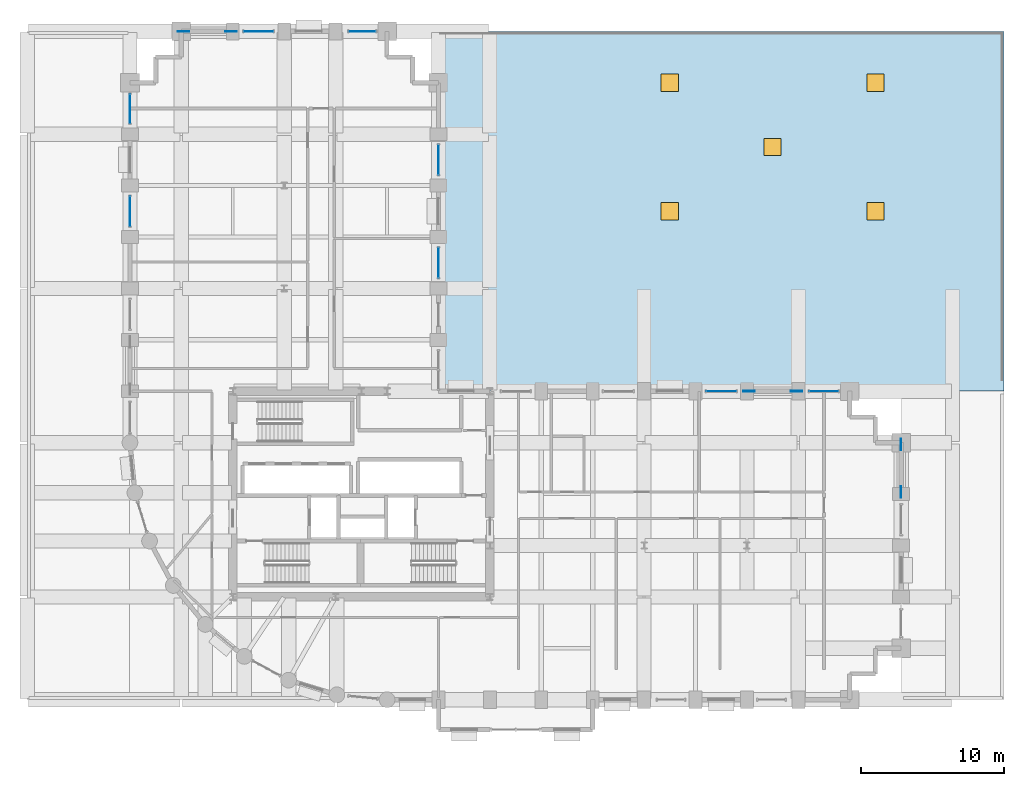
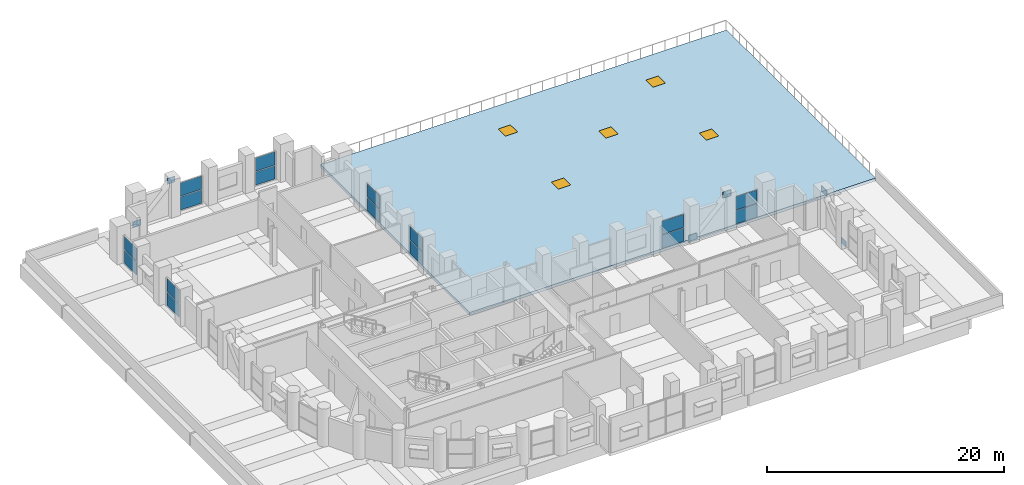
# One storey, part 33 of 39: 22 plates, 5 windows, 1 slab, 5 openings, 8 elements without a shape of their own.
"""IFC4 building model written with IfcOpenShell, lengths in metres."""

from ifc_helpers import new_model, si_unit, direction, frame, origin, origin_2d, place, context, subcontext, project, spatial, polyline, rectangle, outline, extrude, material, layer, layer_set, type_object, element, fill, aggregate, save


model = new_model("IFC4")

# Units and contexts
model_context = context("Model", 3, precision=1e-05, world=origin(), true_north=direction((0.0, 1.0)))
body_context = subcontext(model_context, "Body", "Model", "MODEL_VIEW")
ifc_project = project(units=[si_unit("LENGTHUNIT", "METRE"), si_unit("AREAUNIT", "SQUARE_METRE"), si_unit("VOLUMEUNIT", "CUBIC_METRE"), si_unit("PLANEANGLEUNIT", "RADIAN"), si_unit("MASSUNIT", "GRAM", prefix="KILO")], contexts=[model_context])

# Site, building, storey
site_placement = place(None, origin())
site = spatial("IfcSite", under=ifc_project, at=site_placement, CompositionType="ELEMENT")
building_placement = place(site_placement, origin())
building = spatial("IfcBuilding", under=site, at=building_placement, Name="Solnavia Interchange Tower", CompositionType="ELEMENT")
storey_placement = place(building_placement, frame((0.0, 0.0, 24.0)))
storey = spatial("IfcBuildingStorey", under=building, at=storey_placement, Name="L05", CompositionType="ELEMENT", Elevation=24.0)

# Curtain wall, plates
ifc_material_1 = material(Name="Aluminium Alloy 6063-T6", Category="aluminium")
ifc_layer_1 = layer(ifc_material_1, 0.219970703125)
ifc_layer_set_1 = layer_set([ifc_layer_1], Name="Aluminium Alloy 6063-T6")
curtain_wall_type = type_object("IfcCurtainWallType", Name="CurtainWall-Tower-CTW3", PredefinedType="NOTDEFINED", material=ifc_layer_set_1)
curtain_wall_1_placement = place(storey_placement, origin())
curtain_wall_1 = element("IfcCurtainWall", 1, at=curtain_wall_1_placement, inside=storey, type_object=curtain_wall_type, Name="CTW-L05-S24 CTW-3 curtain wall", PredefinedType="NOTDEFINED")
ifc_material_2 = material(Name="Double-Glazed Low-E IGU Glass", Category="glass")
ifc_layer_2 = layer(ifc_material_2, 0.02587890625)
ifc_layer_set_2 = layer_set([ifc_layer_2], Name="Double-Glazed Low-E IGU Glass")
plate_type_1 = type_object("IfcPlateType", Name="CW-Panel-LowE-26", PredefinedType="CURTAIN_PANEL", material=ifc_layer_set_2)
plate_1_placement = place(storey_placement, frame((55.77490234375, 25.199951171875, 0.06494140625), z_axis=(0.0, 0.0, 1.0), x_axis=(-1.0, 0.0, 0.0)))
plate_1 = element("IfcPlate", 2, at=plate_1_placement, type_object=plate_type_1, Name="CTW-3 panel 1.1", PredefinedType="CURTAIN_PANEL", context=body_context, shape_type="SweptSolid", body=[
    extrude(rectangle(XDim=2.0400390625, YDim=0.02587890625, at=origin_2d()), origin(), (0.0, 0.0, 1.0), 1.367431640625),
])
plate_2_placement = place(storey_placement, frame((55.77490234375, 25.199951171875, 1.49755859375), z_axis=(0.0, 0.0, 1.0), x_axis=(-1.0, 0.0, 0.0)))
plate_2 = element("IfcPlate", 3, at=plate_2_placement, type_object=plate_type_1, Name="CTW-3 panel 1.2", PredefinedType="CURTAIN_PANEL", context=body_context, shape_type="SweptSolid", body=[
    extrude(rectangle(XDim=2.0400390625, YDim=0.02587890625, at=origin_2d()), origin(), (0.0, 0.0, 1.0), 1.367431640625),
])
aggregate(curtain_wall_1, [plate_1, plate_2])

curtain_wall_2_placement = place(storey_placement, origin())
curtain_wall_2 = element("IfcCurtainWall", 4, at=curtain_wall_2_placement, inside=storey, type_object=curtain_wall_type, Name="CTW-L05-S26 CTW-3 curtain wall", PredefinedType="NOTDEFINED")
plate_3_placement = place(storey_placement, frame((48.60009765625, 25.199951171875, 0.06494140625), z_axis=(0.0, 0.0, 1.0), x_axis=(-1.0, 0.0, 0.0)))
plate_3 = element("IfcPlate", 5, at=plate_3_placement, type_object=plate_type_1, Name="CTW-3 panel 1.1", PredefinedType="CURTAIN_PANEL", context=body_context, shape_type="SweptSolid", body=[
    extrude(rectangle(XDim=2.090087890625, YDim=0.02587890625, at=origin_2d()), origin(), (0.0, 0.0, 1.0), 1.367431640625),
])
plate_4_placement = place(storey_placement, frame((48.60009765625, 25.199951171875, 1.49755859375), z_axis=(0.0, 0.0, 1.0), x_axis=(-1.0, 0.0, 0.0)))
plate_4 = element("IfcPlate", 6, at=plate_4_placement, type_object=plate_type_1, Name="CTW-3 panel 1.2", PredefinedType="CURTAIN_PANEL", context=body_context, shape_type="SweptSolid", body=[
    extrude(rectangle(XDim=2.090087890625, YDim=0.02587890625, at=origin_2d()), origin(), (0.0, 0.0, 1.0), 1.367431640625),
])
aggregate(curtain_wall_2, [plate_3, plate_4])

curtain_wall_3_placement = place(storey_placement, origin())
curtain_wall_3 = element("IfcCurtainWall", 7, at=curtain_wall_3_placement, inside=storey, type_object=curtain_wall_type, Name="CTW-L05-S34 CTW-3 curtain wall", PredefinedType="NOTDEFINED")
plate_5_placement = place(storey_placement, frame((28.800048828125, 34.199951171875, 0.06494140625), z_axis=(0.0, 0.0, 1.0), x_axis=(0.0, 1.0, 0.0)))
plate_5 = element("IfcPlate", 8, at=plate_5_placement, type_object=plate_type_1, Name="CTW-3 panel 1.1", PredefinedType="CURTAIN_PANEL", context=body_context, shape_type="SweptSolid", body=[
    extrude(rectangle(XDim=2.090087890625, YDim=0.02587890625, at=origin_2d()), origin(), (0.0, 0.0, 1.0), 1.367431640625),
])
plate_6_placement = place(storey_placement, frame((28.800048828125, 34.199951171875, 1.49755859375), z_axis=(0.0, 0.0, 1.0), x_axis=(0.0, 1.0, 0.0)))
plate_6 = element("IfcPlate", 9, at=plate_6_placement, type_object=plate_type_1, Name="CTW-3 panel 1.2", PredefinedType="CURTAIN_PANEL", context=body_context, shape_type="SweptSolid", body=[
    extrude(rectangle(XDim=2.090087890625, YDim=0.02587890625, at=origin_2d()), origin(), (0.0, 0.0, 1.0), 1.367431640625),
])
aggregate(curtain_wall_3, [plate_5, plate_6])

curtain_wall_4_placement = place(storey_placement, origin())
curtain_wall_4 = element("IfcCurtainWall", 10, at=curtain_wall_4_placement, inside=storey, type_object=curtain_wall_type, Name="CTW-L05-S36 CTW-3 curtain wall", PredefinedType="NOTDEFINED")
plate_7_placement = place(storey_placement, frame((28.800048828125, 41.39990234375, 0.06494140625), z_axis=(0.0, 0.0, 1.0), x_axis=(0.0, 1.0, 0.0)))
plate_7 = element("IfcPlate", 11, at=plate_7_placement, type_object=plate_type_1, Name="CTW-3 panel 1.1", PredefinedType="CURTAIN_PANEL", context=body_context, shape_type="SweptSolid", body=[
    extrude(rectangle(XDim=2.090087890625, YDim=0.02587890625, at=origin_2d()), origin(), (0.0, 0.0, 1.0), 1.367431640625),
])
plate_8_placement = place(storey_placement, frame((28.800048828125, 41.39990234375, 1.49755859375), z_axis=(0.0, 0.0, 1.0), x_axis=(0.0, 1.0, 0.0)))
plate_8 = element("IfcPlate", 12, at=plate_8_placement, type_object=plate_type_1, Name="CTW-3 panel 1.2", PredefinedType="CURTAIN_PANEL", context=body_context, shape_type="SweptSolid", body=[
    extrude(rectangle(XDim=2.090087890625, YDim=0.02587890625, at=origin_2d()), origin(), (0.0, 0.0, 1.0), 1.367431640625),
])
aggregate(curtain_wall_4, [plate_7, plate_8])

curtain_wall_5_placement = place(storey_placement, origin())
curtain_wall_5 = element("IfcCurtainWall", 13, at=curtain_wall_5_placement, inside=storey, type_object=curtain_wall_type, Name="CTW-L05-S42 CTW-3 curtain wall", PredefinedType="NOTDEFINED")
plate_9_placement = place(storey_placement, frame((23.449951171875, 50.39990234375, 0.06494140625), z_axis=(0.0, 0.0, 1.0), x_axis=(-1.0, 0.0, 0.0)))
plate_9 = element("IfcPlate", 14, at=plate_9_placement, type_object=plate_type_1, Name="CTW-3 panel 1.1", PredefinedType="CURTAIN_PANEL", context=body_context, shape_type="SweptSolid", body=[
    extrude(rectangle(XDim=1.889892578125, YDim=0.02587890625, at=origin_2d()), origin(), (0.0, 0.0, 1.0), 1.367431640625),
])
plate_10_placement = place(storey_placement, frame((23.449951171875, 50.39990234375, 1.49755859375), z_axis=(0.0, 0.0, 1.0), x_axis=(-1.0, 0.0, 0.0)))
plate_10 = element("IfcPlate", 15, at=plate_10_placement, type_object=plate_type_1, Name="CTW-3 panel 1.2", PredefinedType="CURTAIN_PANEL", context=body_context, shape_type="SweptSolid", body=[
    extrude(rectangle(XDim=1.889892578125, YDim=0.02587890625, at=origin_2d()), origin(), (0.0, 0.0, 1.0), 1.367431640625),
])
aggregate(curtain_wall_5, [plate_9, plate_10])

curtain_wall_6_placement = place(storey_placement, origin())
curtain_wall_6 = element("IfcCurtainWall", 16, at=curtain_wall_6_placement, inside=storey, type_object=curtain_wall_type, Name="CTW-L05-S44 CTW-3 curtain wall", PredefinedType="NOTDEFINED")
plate_11_placement = place(storey_placement, frame((16.199951171875, 50.39990234375, 0.06494140625), z_axis=(0.0, 0.0, 1.0), x_axis=(-1.0, 0.0, 0.0)))
plate_11 = element("IfcPlate", 17, at=plate_11_placement, type_object=plate_type_1, Name="CTW-3 panel 1.1", PredefinedType="CURTAIN_PANEL", context=body_context, shape_type="SweptSolid", body=[
    extrude(rectangle(XDim=2.090087890625, YDim=0.02587890625, at=origin_2d()), origin(), (0.0, 0.0, 1.0), 1.367431640625),
])
plate_12_placement = place(storey_placement, frame((16.199951171875, 50.39990234375, 1.49755859375), z_axis=(0.0, 0.0, 1.0), x_axis=(-1.0, 0.0, 0.0)))
plate_12 = element("IfcPlate", 18, at=plate_12_placement, type_object=plate_type_1, Name="CTW-3 panel 1.2", PredefinedType="CURTAIN_PANEL", context=body_context, shape_type="SweptSolid", body=[
    extrude(rectangle(XDim=2.090087890625, YDim=0.02587890625, at=origin_2d()), origin(), (0.0, 0.0, 1.0), 1.367431640625),
])
aggregate(curtain_wall_6, [plate_11, plate_12])

curtain_wall_7_placement = place(storey_placement, origin())
curtain_wall_7 = element("IfcCurtainWall", 19, at=curtain_wall_7_placement, inside=storey, type_object=curtain_wall_type, Name="CTW-L05-S50 CTW-3 curtain wall", PredefinedType="NOTDEFINED")
plate_13_placement = place(storey_placement, frame((7.199951171875, 44.97509765625, 0.06494140625), z_axis=(0.0, 0.0, 1.0), x_axis=(0.0, -1.0, 0.0)))
plate_13 = element("IfcPlate", 20, at=plate_13_placement, type_object=plate_type_1, Name="CTW-3 panel 1.1", PredefinedType="CURTAIN_PANEL", context=body_context, shape_type="SweptSolid", body=[
    extrude(rectangle(XDim=2.0400390625, YDim=0.02587890625, at=origin_2d()), origin(), (0.0, 0.0, 1.0), 1.367431640625),
])
plate_14_placement = place(storey_placement, frame((7.199951171875, 44.97509765625, 1.49755859375), z_axis=(0.0, 0.0, 1.0), x_axis=(0.0, -1.0, 0.0)))
plate_14 = element("IfcPlate", 21, at=plate_14_placement, type_object=plate_type_1, Name="CTW-3 panel 1.2", PredefinedType="CURTAIN_PANEL", context=body_context, shape_type="SweptSolid", body=[
    extrude(rectangle(XDim=2.0400390625, YDim=0.02587890625, at=origin_2d()), origin(), (0.0, 0.0, 1.0), 1.367431640625),
])
aggregate(curtain_wall_7, [plate_13, plate_14])

curtain_wall_8_placement = place(storey_placement, origin())
curtain_wall_8 = element("IfcCurtainWall", 22, at=curtain_wall_8_placement, inside=storey, type_object=curtain_wall_type, Name="CTW-L05-S52 CTW-3 curtain wall", PredefinedType="NOTDEFINED")
plate_15_placement = place(storey_placement, frame((7.199951171875, 37.800048828125, 0.06494140625), z_axis=(0.0, 0.0, 1.0), x_axis=(0.0, -1.0, 0.0)))
plate_15 = element("IfcPlate", 23, at=plate_15_placement, type_object=plate_type_1, Name="CTW-3 panel 1.1", PredefinedType="CURTAIN_PANEL", context=body_context, shape_type="SweptSolid", body=[
    extrude(rectangle(XDim=2.090087890625, YDim=0.02587890625, at=origin_2d()), origin(), (0.0, 0.0, 1.0), 1.367431640625),
])
plate_16_placement = place(storey_placement, frame((7.199951171875, 37.800048828125, 1.49755859375), z_axis=(0.0, 0.0, 1.0), x_axis=(0.0, -1.0, 0.0)))
plate_16 = element("IfcPlate", 24, at=plate_16_placement, type_object=plate_type_1, Name="CTW-3 panel 1.2", PredefinedType="CURTAIN_PANEL", context=body_context, shape_type="SweptSolid", body=[
    extrude(rectangle(XDim=2.090087890625, YDim=0.02587890625, at=origin_2d()), origin(), (0.0, 0.0, 1.0), 1.367431640625),
])
aggregate(curtain_wall_8, [plate_15, plate_16])

# Plates
ifc_material_3 = material(Name="Steel S460", Category="steel")
ifc_layer_3 = layer(ifc_material_3, 0.035888671875)
ifc_layer_set_3 = layer_set([ifc_layer_3], Name="Steel S460")
plate_type_2 = type_object("IfcPlateType", Name="Plate-Gusset-800x600x36", PredefinedType="USERDEFINED", material=ifc_layer_set_3)
for number, where, z_axis, x_axis, name in (
    (25, (61.199951171875, 18.139892578125, -0.1201171875), (0.0, 0.0, 1.0), (0.0, 1.0, 0.0), "PLT-L05-GP03 Perimeter brace gusset plate"),
    (26, (61.199951171875, 21.4599609375, 3.169921875), (0.0, 0.0, 1.0), (0.0, 1.0, 0.0), "PLT-L05-GP04 Perimeter brace gusset plate"),
    (27, (10.93994140625, 50.39990234375, -0.1201171875), (0.0, 0.0, 1.0), (1.0, 0.0, 0.0), "PLT-L05-GP05 Perimeter brace gusset plate"),
    (28, (14.260009765625, 50.39990234375, 3.169921875), (0.0, 0.0, 1.0), (1.0, 0.0, 0.0), "PLT-L05-GP06 Perimeter brace gusset plate"),
    (29, (50.5400390625, 25.199951171875, -0.1201171875), (0.0, 0.0, 1.0), (1.0, 0.0, 0.0), "PLT-L05-GP07 Perimeter brace gusset plate"),
    (30, (53.860107421875, 25.199951171875, 3.169921875), (0.0, 0.0, 1.0), (1.0, 0.0, 0.0), "PLT-L05-GP08 Perimeter brace gusset plate"),
):
    element("IfcPlate", number, at=place(storey_placement, frame(where, z_axis=z_axis, x_axis=x_axis)), inside=storey, type_object=plate_type_2, Name=name, ObjectType="GUSSET PLATE", PredefinedType="USERDEFINED", context=body_context, shape_type="SweptSolid", body=[
        extrude(rectangle(XDim=0.800048828125, YDim=0.035888671875, at=origin_2d()), origin(), (0.0, 0.0, 1.0), 0.60009765625),
    ])

# Slab, openings, windows
ifc_material_4 = material(Name="Concrete C40/50", Category="concrete")
ifc_layer_4 = layer(ifc_material_4, 0.300048828125)
ifc_layer_set_4 = layer_set([ifc_layer_4], Name="Concrete C40/50")
slab_type = type_object("IfcSlabType", Name="Slab-Roof-300", PredefinedType="ROOF", material=ifc_layer_set_4)
slab_placement = place(storey_placement, frame((0.0, 0.0, -0.300048828125)))
slab = element("IfcSlab", 31, at=slab_placement, inside=storey, type_object=slab_type, Name="ROF-L05-01 Podium main roof deck slab", PredefinedType="ROOF", context=body_context, shape_type="SweptSolid", body=[
    extrude(outline(polyline([(68.39990234375, 25.219970703125), (57.6201171875, 25.219970703125), (28.820068359375, 25.219970703125), (28.820068359375, 46.820068359375), (28.820068359375, 50.39990234375), (68.39990234375, 50.39990234375), (68.39990234375, 25.219970703125)])), origin(), (0.0, 0.0, 1.0), 0.300048828125),
])
opening_1_placement = place(slab_placement, frame((59.39990234375, 37.800048828125, 0.0)))
opening_1 = element("IfcOpeningElement", 32, at=opening_1_placement, cuts=slab, Name="Opening SKL-01", PredefinedType="OPENING", context=body_context, shape_type="SweptSolid", body=[
    extrude(rectangle(XDim=1.199951171875, YDim=1.199951171875, at=origin_2d()), origin(), (0.0, 0.0, 1.0), 0.300048828125),
])
opening_2_placement = place(slab_placement, frame((59.39990234375, 46.800048828125, 0.0)))
opening_2 = element("IfcOpeningElement", 33, at=opening_2_placement, cuts=slab, Name="Opening SKL-01", PredefinedType="OPENING", context=body_context, shape_type="SweptSolid", body=[
    extrude(rectangle(XDim=1.199951171875, YDim=1.199951171875, at=origin_2d()), origin(), (0.0, 0.0, 1.0), 0.300048828125),
])
opening_3_placement = place(slab_placement, frame((45.0, 37.800048828125, 0.0)))
opening_3 = element("IfcOpeningElement", 34, at=opening_3_placement, cuts=slab, Name="Opening SKL-01", PredefinedType="OPENING", context=body_context, shape_type="SweptSolid", body=[
    extrude(rectangle(XDim=1.199951171875, YDim=1.199951171875, at=origin_2d()), origin(), (0.0, 0.0, 1.0), 0.300048828125),
])
opening_4_placement = place(slab_placement, frame((45.0, 46.800048828125, 0.0)))
opening_4 = element("IfcOpeningElement", 35, at=opening_4_placement, cuts=slab, Name="Opening SKL-01", PredefinedType="OPENING", context=body_context, shape_type="SweptSolid", body=[
    extrude(rectangle(XDim=1.199951171875, YDim=1.199951171875, at=origin_2d()), origin(), (0.0, 0.0, 1.0), 0.300048828125),
])
opening_5_placement = place(slab_placement, frame((52.199951171875, 42.300048828125, 0.0)))
opening_5 = element("IfcOpeningElement", 36, at=opening_5_placement, cuts=slab, Name="Opening SKL-01", PredefinedType="OPENING", context=body_context, shape_type="SweptSolid", body=[
    extrude(rectangle(XDim=1.199951171875, YDim=1.199951171875, at=origin_2d()), origin(), (0.0, 0.0, 1.0), 0.300048828125),
])
ifc_material_5 = material(Name="Thermal-Break Aluminium & Low-E Glass", Category="aluminium")
window_type = type_object("IfcWindowType", Name="RoofHatch-Access-1200x1200", PartitioningType="SINGLE_PANEL", PredefinedType="SKYLIGHT", material=ifc_material_5)
window_1_placement = place(opening_1_placement, frame((0.0, 0.0, 0.25)))
window_1 = element("IfcWindow", 37, at=window_1_placement, inside=storey, type_object=window_type, Name="SKL-L05-H1 Podium roof maintenance access hatch", OverallHeight=1.199951171875, OverallWidth=1.199951171875, PartitioningType="SINGLE_PANEL", PredefinedType="SKYLIGHT", context=body_context, shape_type="SweptSolid", body=[
    extrude(rectangle(XDim=1.199951171875, YDim=1.199951171875, at=origin_2d()), origin(), (0.0, 0.0, 1.0), 0.050048828125),
])
fill(opening_1, window_1)
window_2_placement = place(opening_2_placement, frame((0.0, 0.0, 0.25)))
window_2 = element("IfcWindow", 38, at=window_2_placement, inside=storey, type_object=window_type, Name="SKL-L05-H2 Podium roof smoke-vent skylight hatch", OverallHeight=1.199951171875, OverallWidth=1.199951171875, PartitioningType="SINGLE_PANEL", PredefinedType="SKYLIGHT", context=body_context, shape_type="SweptSolid", body=[
    extrude(rectangle(XDim=1.199951171875, YDim=1.199951171875, at=origin_2d()), origin(), (0.0, 0.0, 1.0), 0.050048828125),
])
fill(opening_2, window_2)
window_3_placement = place(opening_3_placement, frame((0.0, 0.0, 0.25)))
window_3 = element("IfcWindow", 39, at=window_3_placement, inside=storey, type_object=window_type, Name="SKL-L05-H3 Podium roof atrium skylight hatch", OverallHeight=1.199951171875, OverallWidth=1.199951171875, PartitioningType="SINGLE_PANEL", PredefinedType="SKYLIGHT", context=body_context, shape_type="SweptSolid", body=[
    extrude(rectangle(XDim=1.199951171875, YDim=1.199951171875, at=origin_2d()), origin(), (0.0, 0.0, 1.0), 0.050048828125),
])
fill(opening_3, window_3)
window_4_placement = place(opening_4_placement, frame((0.0, 0.0, 0.25)))
window_4 = element("IfcWindow", 40, at=window_4_placement, inside=storey, type_object=window_type, Name="SKL-L05-H4 Podium roof atrium skylight hatch", OverallHeight=1.199951171875, OverallWidth=1.199951171875, PartitioningType="SINGLE_PANEL", PredefinedType="SKYLIGHT", context=body_context, shape_type="SweptSolid", body=[
    extrude(rectangle(XDim=1.199951171875, YDim=1.199951171875, at=origin_2d()), origin(), (0.0, 0.0, 1.0), 0.050048828125),
])
fill(opening_4, window_4)
window_5_placement = place(opening_5_placement, frame((0.0, 0.0, 0.25)))
window_5 = element("IfcWindow", 41, at=window_5_placement, inside=storey, type_object=window_type, Name="SKL-L05-H5 Podium roof central skylight hatch", OverallHeight=1.199951171875, OverallWidth=1.199951171875, PartitioningType="SINGLE_PANEL", PredefinedType="SKYLIGHT", context=body_context, shape_type="SweptSolid", body=[
    extrude(rectangle(XDim=1.199951171875, YDim=1.199951171875, at=origin_2d()), origin(), (0.0, 0.0, 1.0), 0.050048828125),
])
fill(opening_5, window_5)

save(model, "model.ifc")
